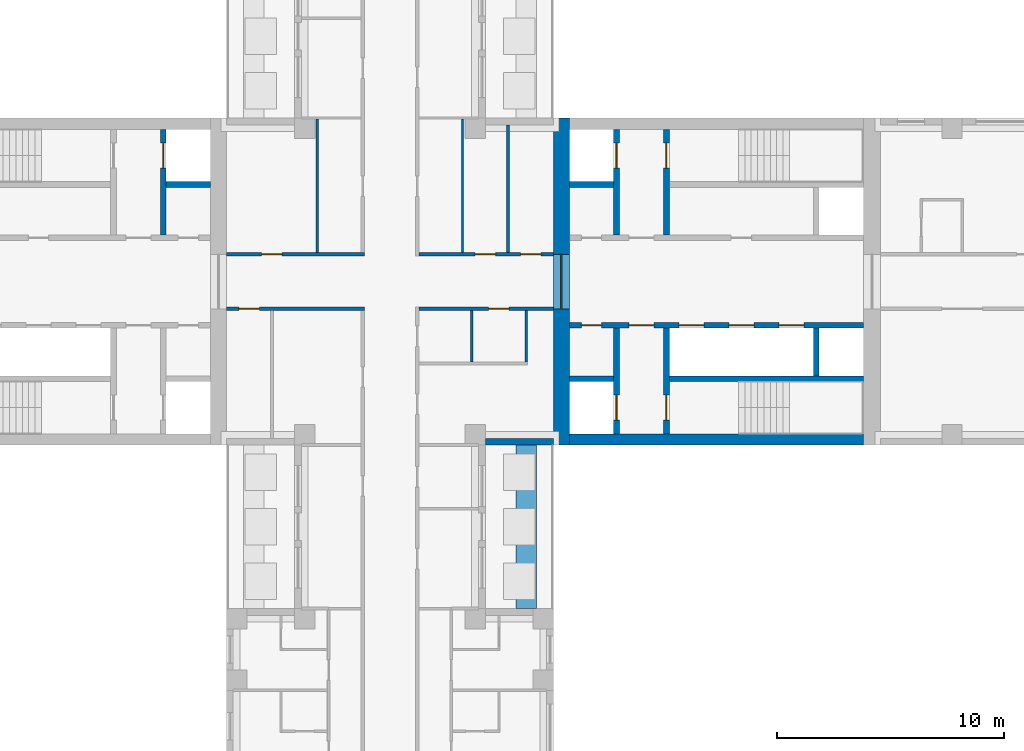
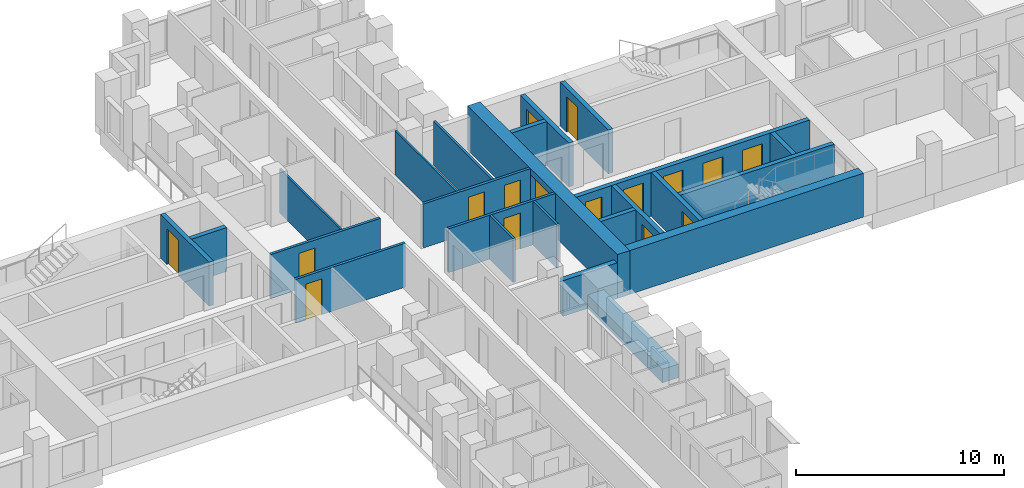
# One storey, part 8 of 14: 24 walls, 16 doors, 16 openings.
"""IFC4 building model written with IfcOpenShell, lengths in metres."""

from ifc_helpers import new_model, si_unit, direction, frame, frame_2d, origin, place, context, subcontext, project, spatial, rectangle, extrude, material, layer, layer_set, type_object, element, fill, save


model = new_model("IFC4")

# Units and contexts
model_context = context("Model", 3, precision=1e-05, world=origin(), true_north=direction((0.0, 1.0)))
body_context = subcontext(model_context, "Body", "Model", "MODEL_VIEW")
ifc_project = project(units=[si_unit("LENGTHUNIT", "METRE"), si_unit("AREAUNIT", "SQUARE_METRE"), si_unit("VOLUMEUNIT", "CUBIC_METRE"), si_unit("PLANEANGLEUNIT", "RADIAN"), si_unit("MASSUNIT", "GRAM", prefix="KILO")], contexts=[model_context])

# Site, building, storey
site_placement = place(None, origin())
site = spatial("IfcSite", under=ifc_project, at=site_placement, CompositionType="ELEMENT")
building_placement = place(site_placement, origin())
building = spatial("IfcBuilding", under=site, at=building_placement, Name="Fustian Cross Tower", CompositionType="ELEMENT")
storey_placement = place(building_placement, frame((0.0, 0.0, 93.89990234375)))
storey = spatial("IfcBuildingStorey", under=building, at=storey_placement, Name="L29", CompositionType="ELEMENT", Elevation=93.89990234375)

# Wall, opening, door
ifc_material_1 = material(Name="Plasterboard on steel stud", Category="steel")
ifc_layer_1 = layer(ifc_material_1, 0.14990234375)
ifc_layer_set_1 = layer_set([ifc_layer_1], Name="Plasterboard on steel stud")
wall_type_1 = type_object("IfcWallType", Name="COMPARTMENT WALL 150 EI 60", PredefinedType="PARTITIONING", material=ifc_layer_set_1)
wall_1_placement = place(storey_placement, frame((-7.199951171875, -1.199951171875, 0.0), z_axis=(0.0, 0.0, 1.0), x_axis=(1.0, 0.0, 0.0)))
wall_1 = element("IfcWall", 1, at=wall_1_placement, inside=storey, type_object=wall_type_1, Name="Partition 13", PredefinedType="PARTITIONING", context=body_context, shape_type="SweptSolid", body=[
    extrude(rectangle(XDim=6.074951171875, YDim=0.14990234375, at=frame_2d((3.03759765625, 0.0))), origin(), (0.0, 0.0, 1.0), 2.5751953125),
])
opening_1_placement = place(wall_1_placement, frame((0.550048828125, 0.0, 0.0)))
opening_1 = element("IfcOpeningElement", 2, at=opening_1_placement, cuts=wall_1, Name="Opening D14010", PredefinedType="OPENING", context=body_context, shape_type="SweptSolid", body=[
    extrude(rectangle(XDim=0.89990234375, YDim=2.10009765625, at=frame_2d((0.449951171875, 1.050048828125))), frame((0.0, 0.0849609375, 0.0), z_axis=(0.0, -1.0, 0.0), x_axis=(1.0, 0.0, 0.0)), (0.0, 0.0, 1.0), 0.169921875),
])
ifc_material_2 = material(Name="Timber fire door set", Category="wood")
door_type_1 = type_object("IfcDoorType", Name="FIRE SWING DOOR 900 FD30S", OperationType="SINGLE_SWING_LEFT", PredefinedType="DOOR", material=ifc_material_2)
door_1_placement = place(opening_1_placement, frame((0.89990234375, 0.0, 0.0), z_axis=(0.0, 0.0, 1.0), x_axis=(-1.0, 0.0, 0.0)))
door_1 = element("IfcDoor", 3, at=door_1_placement, inside=storey, type_object=door_type_1, Name="Door D14010", OperationType="SINGLE_SWING_RIGHT", OverallHeight=2.10009765625, OverallWidth=0.89990234375, PredefinedType="DOOR", context=body_context, shape_type="SweptSolid", body=[
    extrude(rectangle(XDim=0.89990234375, YDim=2.10009765625, at=frame_2d((0.449951171875, 1.050048828125))), frame((0.0, 0.02490234375, 0.0), z_axis=(0.0, -1.0, 0.0), x_axis=(1.0, 0.0, 0.0)), (0.0, 0.0, 1.0), 0.050048828125),
])
fill(opening_1, door_1)

wall_2_placement = place(storey_placement, frame((-7.199951171875, 1.199951171875, 0.0), z_axis=(0.0, 0.0, 1.0), x_axis=(1.0, 0.0, 0.0)))
wall_2 = element("IfcWall", 4, at=wall_2_placement, inside=storey, type_object=wall_type_1, Name="Partition 14", PredefinedType="PARTITIONING", context=body_context, shape_type="SweptSolid", body=[
    extrude(rectangle(XDim=6.074951171875, YDim=0.14990234375, at=frame_2d((3.03759765625, 0.0))), origin(), (0.0, 0.0, 1.0), 2.5751953125),
])
opening_2_placement = place(wall_2_placement, frame((1.550048828125, 0.0, 0.0)))
opening_2 = element("IfcOpeningElement", 5, at=opening_2_placement, cuts=wall_2, Name="Opening D14005", PredefinedType="OPENING", context=body_context, shape_type="SweptSolid", body=[
    extrude(rectangle(XDim=0.89990234375, YDim=2.10009765625, at=frame_2d((0.449951171875, 1.050048828125))), frame((0.0, 0.0849609375, 0.0), z_axis=(0.0, -1.0, 0.0), x_axis=(1.0, 0.0, 0.0)), (0.0, 0.0, 1.0), 0.169921875),
])
door_2_placement = place(opening_2_placement, origin())
door_2 = element("IfcDoor", 6, at=door_2_placement, inside=storey, type_object=door_type_1, Name="Door D14005", OperationType="SINGLE_SWING_LEFT", OverallHeight=2.10009765625, OverallWidth=0.89990234375, PredefinedType="DOOR", context=body_context, shape_type="SweptSolid", body=[
    extrude(rectangle(XDim=0.89990234375, YDim=2.10009765625, at=frame_2d((0.449951171875, 1.050048828125))), frame((0.0, 0.02490234375, 0.0), z_axis=(0.0, -1.0, 0.0), x_axis=(1.0, 0.0, 0.0)), (0.0, 0.0, 1.0), 0.050048828125),
])
fill(opening_2, door_2)

wall_3_placement = place(storey_placement, frame((1.27490234375, -1.199951171875, 0.0), z_axis=(0.0, 0.0, 1.0), x_axis=(1.0, 0.0, 0.0)))
wall_3 = element("IfcWall", 7, at=wall_3_placement, inside=storey, type_object=wall_type_1, Name="Partition 49", PredefinedType="PARTITIONING", context=body_context, shape_type="SweptSolid", body=[
    extrude(rectangle(XDim=5.925048828125, YDim=0.14990234375, at=frame_2d((2.96240234375, 0.0))), origin(), (0.0, 0.0, 1.0), 2.5751953125),
])
opening_3_placement = place(wall_3_placement, frame((3.074951171875, 0.0, 0.0)))
opening_3 = element("IfcOpeningElement", 8, at=opening_3_placement, cuts=wall_3, Name="Opening D14007", PredefinedType="OPENING", context=body_context, shape_type="SweptSolid", body=[
    extrude(rectangle(XDim=0.89990234375, YDim=2.10009765625, at=frame_2d((0.449951171875, 1.050048828125))), frame((0.0, 0.0849609375, 0.0), z_axis=(0.0, -1.0, 0.0), x_axis=(1.0, 0.0, 0.0)), (0.0, 0.0, 1.0), 0.169921875),
])
door_3_placement = place(opening_3_placement, frame((0.89990234375, 0.0, 0.0), z_axis=(0.0, 0.0, 1.0), x_axis=(-1.0, 0.0, 0.0)))
door_3 = element("IfcDoor", 9, at=door_3_placement, inside=storey, type_object=door_type_1, Name="Door D14007", OperationType="SINGLE_SWING_RIGHT", OverallHeight=2.10009765625, OverallWidth=0.89990234375, PredefinedType="DOOR", context=body_context, shape_type="SweptSolid", body=[
    extrude(rectangle(XDim=0.89990234375, YDim=2.10009765625, at=frame_2d((0.449951171875, 1.050048828125))), frame((0.0, 0.02490234375, 0.0), z_axis=(0.0, -1.0, 0.0), x_axis=(1.0, 0.0, 0.0)), (0.0, 0.0, 1.0), 0.050048828125),
])
fill(opening_3, door_3)

# Wall, openings, doors
wall_4_placement = place(storey_placement, frame((1.27490234375, 1.199951171875, 0.0), z_axis=(0.0, 0.0, 1.0), x_axis=(1.0, 0.0, 0.0)))
wall_4 = element("IfcWall", 10, at=wall_4_placement, inside=storey, type_object=wall_type_1, Name="Partition 51", PredefinedType="PARTITIONING", context=body_context, shape_type="SweptSolid", body=[
    extrude(rectangle(XDim=5.925048828125, YDim=0.14990234375, at=frame_2d((2.96240234375, 0.0))), origin(), (0.0, 0.0, 1.0), 2.5751953125),
])
opening_4_placement = place(wall_4_placement, frame((2.47509765625, 0.0, 0.0)))
opening_4 = element("IfcOpeningElement", 11, at=opening_4_placement, cuts=wall_4, Name="Opening D14002", PredefinedType="OPENING", context=body_context, shape_type="SweptSolid", body=[
    extrude(rectangle(XDim=0.89990234375, YDim=2.10009765625, at=frame_2d((0.449951171875, 1.050048828125))), frame((0.0, 0.0849609375, 0.0), z_axis=(0.0, -1.0, 0.0), x_axis=(1.0, 0.0, 0.0)), (0.0, 0.0, 1.0), 0.169921875),
])
opening_5_placement = place(wall_4_placement, frame((4.47509765625, 0.0, 0.0)))
opening_5 = element("IfcOpeningElement", 12, at=opening_5_placement, cuts=wall_4, Name="Opening D14003", PredefinedType="OPENING", context=body_context, shape_type="SweptSolid", body=[
    extrude(rectangle(XDim=0.89990234375, YDim=2.10009765625, at=frame_2d((0.449951171875, 1.050048828125))), frame((0.0, 0.0849609375, 0.0), z_axis=(0.0, -1.0, 0.0), x_axis=(1.0, 0.0, 0.0)), (0.0, 0.0, 1.0), 0.169921875),
])
door_4_placement = place(opening_4_placement, origin())
door_4 = element("IfcDoor", 13, at=door_4_placement, inside=storey, type_object=door_type_1, Name="Door D14002", OperationType="SINGLE_SWING_LEFT", OverallHeight=2.10009765625, OverallWidth=0.89990234375, PredefinedType="DOOR", context=body_context, shape_type="SweptSolid", body=[
    extrude(rectangle(XDim=0.89990234375, YDim=2.10009765625, at=frame_2d((0.449951171875, 1.050048828125))), frame((0.0, 0.02490234375, 0.0), z_axis=(0.0, -1.0, 0.0), x_axis=(1.0, 0.0, 0.0)), (0.0, 0.0, 1.0), 0.050048828125),
])
fill(opening_4, door_4)
door_5_placement = place(opening_5_placement, origin())
door_5 = element("IfcDoor", 14, at=door_5_placement, inside=storey, type_object=door_type_1, Name="Door D14003", OperationType="SINGLE_SWING_LEFT", OverallHeight=2.10009765625, OverallWidth=0.89990234375, PredefinedType="DOOR", context=body_context, shape_type="SweptSolid", body=[
    extrude(rectangle(XDim=0.89990234375, YDim=2.10009765625, at=frame_2d((0.449951171875, 1.050048828125))), frame((0.0, 0.02490234375, 0.0), z_axis=(0.0, -1.0, 0.0), x_axis=(1.0, 0.0, 0.0)), (0.0, 0.0, 1.0), 0.050048828125),
])
fill(opening_5, door_5)

# Wall, opening, door
ifc_material_3 = material(Name="Concrete C70/85", Category="concrete")
ifc_layer_2 = layer(ifc_material_3, 0.699951171875)
ifc_layer_set_2 = layer_set([ifc_layer_2], Name="Concrete C70/85")
wall_type_2 = type_object("IfcWallType", Name="CORE END WALL 700 C70/85", PredefinedType="SHEAR", material=ifc_layer_set_2)
wall_5_placement = place(storey_placement, frame((7.550048828125, -7.199951171875, 0.0), z_axis=(0.0, 0.0, 1.0), x_axis=(0.0, 1.0, 0.0)))
wall_5 = element("IfcWall", 15, at=wall_5_placement, inside=storey, type_object=wall_type_2, Name="Core end wall", PredefinedType="SHEAR", context=body_context, shape_type="SweptSolid", body=[
    extrude(rectangle(XDim=14.39990234375, YDim=0.699951171875, at=frame_2d((7.199951171875, 0.0))), origin(), (0.0, 0.0, 1.0), 2.5751953125),
])
opening_6_placement = place(wall_5_placement, frame((6.0, 0.0, 0.0)))
opening_6 = element("IfcOpeningElement", 16, at=opening_6_placement, cuts=wall_5, Name="Opening CD-09-12", PredefinedType="OPENING", context=body_context, shape_type="SweptSolid", body=[
    extrude(rectangle(XDim=2.39990234375, YDim=2.199951171875, at=frame_2d((1.199951171875, 1.10009765625))), frame((0.0, 0.35986328125, 0.0), z_axis=(0.0, -1.0, 0.0), x_axis=(1.0, 0.0, 0.0)), (0.0, 0.0, 1.0), 0.719970703125),
])
ifc_material_4 = material(Name="Steel", Category="steel")
door_type_2 = type_object("IfcDoorType", Name="FIRE DOOR FD30S DOUBLE 2400X2200", OperationType="DOUBLE_DOOR_DOUBLE_SWING", PredefinedType="DOOR", material=ifc_material_4)
door_6_placement = place(opening_6_placement, frame((2.39990234375, 0.0, 0.0), z_axis=(0.0, 0.0, 1.0), x_axis=(-1.0, 0.0, 0.0)))
door_6 = element("IfcDoor", 17, at=door_6_placement, inside=storey, type_object=door_type_2, Name="Core door CD-09-12", OperationType="DOUBLE_DOOR_DOUBLE_SWING", OverallHeight=2.199951171875, OverallWidth=2.39990234375, PredefinedType="DOOR", context=body_context, shape_type="SweptSolid", body=[
    extrude(rectangle(XDim=2.39990234375, YDim=2.199951171875, at=frame_2d((1.199951171875, 1.10009765625))), frame((0.0, 0.02490234375, 0.0), z_axis=(0.0, -1.0, 0.0), x_axis=(1.0, 0.0, 0.0)), (0.0, 0.0, 1.0), 0.050048828125),
])
fill(opening_6, door_6)

# Wall
ifc_material_5 = material(Name="Concrete C70/85", Category="concrete")
ifc_layer_3 = layer(ifc_material_5, 0.5)
ifc_layer_set_3 = layer_set([ifc_layer_3], Name="Concrete C70/85")
wall_type_3 = type_object("IfcWallType", Name="CORE FACADE WALL 500 C70/85", PredefinedType="SHEAR", material=ifc_layer_set_3)
wall_6_placement = place(storey_placement, frame((7.89990234375, -6.949951171875, 0.0), z_axis=(0.0, 0.0, 1.0), x_axis=(1.0, 0.0, 0.0)))
element("IfcWall", 18, at=wall_6_placement, inside=storey, type_object=wall_type_3, Name="Core facade wall", PredefinedType="SHEAR", context=body_context, shape_type="SweptSolid", body=[
    extrude(rectangle(XDim=12.9501953125, YDim=0.5, at=frame_2d((6.47509765625, 0.0))), origin(), (0.0, 0.0, 1.0), 2.5751953125),
])

# Wall, openings, doors
ifc_material_6 = material(Name="Concrete C50/60", Category="concrete")
ifc_layer_4 = layer(ifc_material_6, 0.25)
ifc_layer_set_4 = layer_set([ifc_layer_4], Name="Concrete C50/60")
wall_type_4 = type_object("IfcWallType", Name="CORE LOBBY WALL 250 C50/60", PredefinedType="SHEAR", material=ifc_layer_set_4)
wall_7_placement = place(storey_placement, frame((7.89990234375, -1.925048828125, 0.0), z_axis=(0.0, 0.0, 1.0), x_axis=(1.0, 0.0, 0.0)))
wall_7 = element("IfcWall", 19, at=wall_7_placement, inside=storey, type_object=wall_type_4, Name="Core lobby wall", PredefinedType="SHEAR", context=body_context, shape_type="SweptSolid", body=[
    extrude(rectangle(XDim=12.9501953125, YDim=0.25, at=frame_2d((6.47509765625, 0.0))), origin(), (0.0, 0.0, 1.0), 2.5751953125),
])
opening_7_placement = place(wall_7_placement, frame((4.824951171875, 0.0, 0.0)))
opening_7 = element("IfcOpeningElement", 20, at=opening_7_placement, cuts=wall_7, Name="Opening LD", PredefinedType="OPENING", context=body_context, shape_type="SweptSolid", body=[
    extrude(rectangle(XDim=1.10009765625, YDim=2.10009765625, at=frame_2d((0.550048828125, 1.050048828125))), frame((0.0, 0.135009765625, 0.0), z_axis=(0.0, -1.0, 0.0), x_axis=(1.0, 0.0, 0.0)), (0.0, 0.0, 1.0), 0.27001953125),
])
opening_8_placement = place(wall_7_placement, frame((7.02490234375, 0.0, 0.0)))
opening_8 = element("IfcOpeningElement", 21, at=opening_8_placement, cuts=wall_7, Name="Opening LD", PredefinedType="OPENING", context=body_context, shape_type="SweptSolid", body=[
    extrude(rectangle(XDim=1.10009765625, YDim=2.10009765625, at=frame_2d((0.550048828125, 1.050048828125))), frame((0.0, 0.135009765625, 0.0), z_axis=(0.0, -1.0, 0.0), x_axis=(1.0, 0.0, 0.0)), (0.0, 0.0, 1.0), 0.27001953125),
])
opening_9_placement = place(wall_7_placement, frame((9.22509765625, 0.0, 0.0)))
opening_9 = element("IfcOpeningElement", 22, at=opening_9_placement, cuts=wall_7, Name="Opening LD", PredefinedType="OPENING", context=body_context, shape_type="SweptSolid", body=[
    extrude(rectangle(XDim=1.10009765625, YDim=2.10009765625, at=frame_2d((0.550048828125, 1.050048828125))), frame((0.0, 0.135009765625, 0.0), z_axis=(0.0, -1.0, 0.0), x_axis=(1.0, 0.0, 0.0)), (0.0, 0.0, 1.0), 0.27001953125),
])
opening_10_placement = place(wall_7_placement, frame((0.52490234375, 0.0, 0.0)))
opening_10 = element("IfcOpeningElement", 23, at=opening_10_placement, cuts=wall_7, Name="Opening CD-09-09", PredefinedType="OPENING", context=body_context, shape_type="SweptSolid", body=[
    extrude(rectangle(XDim=0.89990234375, YDim=2.10009765625, at=frame_2d((0.449951171875, 1.050048828125))), frame((0.0, 0.135009765625, 0.0), z_axis=(0.0, -1.0, 0.0), x_axis=(1.0, 0.0, 0.0)), (0.0, 0.0, 1.0), 0.27001953125),
])
opening_11_placement = place(wall_7_placement, frame((2.625, 0.0, 0.0)))
opening_11 = element("IfcOpeningElement", 24, at=opening_11_placement, cuts=wall_7, Name="Opening CD-09-11", PredefinedType="OPENING", context=body_context, shape_type="SweptSolid", body=[
    extrude(rectangle(XDim=1.10009765625, YDim=2.10009765625, at=frame_2d((0.550048828125, 1.050048828125))), frame((0.0, 0.135009765625, 0.0), z_axis=(0.0, -1.0, 0.0), x_axis=(1.0, 0.0, 0.0)), (0.0, 0.0, 1.0), 0.27001953125),
])
ifc_material_7 = material(Name="Steel", Category="steel")
door_type_3 = type_object("IfcDoorType", Name="FIRE DOOR FD30S 1100X2100", OperationType="SINGLE_SWING_LEFT", PredefinedType="DOOR", material=ifc_material_7)
door_7_placement = place(opening_11_placement, frame((1.10009765625, 0.0, 0.0), z_axis=(0.0, 0.0, 1.0), x_axis=(-1.0, 0.0, 0.0)))
door_7 = element("IfcDoor", 25, at=door_7_placement, inside=storey, type_object=door_type_3, Name="Core door CD-09-11", OperationType="SINGLE_SWING_RIGHT", OverallHeight=2.10009765625, OverallWidth=1.10009765625, PredefinedType="DOOR", context=body_context, shape_type="SweptSolid", body=[
    extrude(rectangle(XDim=1.10009765625, YDim=2.10009765625, at=frame_2d((0.550048828125, 1.050048828125))), frame((0.0, 0.02490234375, 0.0), z_axis=(0.0, -1.0, 0.0), x_axis=(1.0, 0.0, 0.0)), (0.0, 0.0, 1.0), 0.050048828125),
])
fill(opening_11, door_7)
ifc_material_8 = material(Name="Steel", Category="steel")
door_type_4 = type_object("IfcDoorType", Name="FIRE DOOR FD30S 900X2100", OperationType="SINGLE_SWING_LEFT", PredefinedType="DOOR", material=ifc_material_8)
door_8_placement = place(opening_10_placement, frame((0.89990234375, 0.0, 0.0), z_axis=(0.0, 0.0, 1.0), x_axis=(-1.0, 0.0, 0.0)))
door_8 = element("IfcDoor", 26, at=door_8_placement, inside=storey, type_object=door_type_4, Name="Core door CD-09-09", OperationType="SINGLE_SWING_RIGHT", OverallHeight=2.10009765625, OverallWidth=0.89990234375, PredefinedType="DOOR", context=body_context, shape_type="SweptSolid", body=[
    extrude(rectangle(XDim=0.89990234375, YDim=2.10009765625, at=frame_2d((0.449951171875, 1.050048828125))), frame((0.0, 0.02490234375, 0.0), z_axis=(0.0, -1.0, 0.0), x_axis=(1.0, 0.0, 0.0)), (0.0, 0.0, 1.0), 0.050048828125),
])
fill(opening_10, door_8)
ifc_material_9 = material(Name="Stainless steel", Category="steel")
door_type_5 = type_object("IfcDoorType", Name="LIFT LANDING DOOR 1100X2100", OperationType="SLIDING_TO_LEFT", PredefinedType="DOOR", material=ifc_material_9)
door_9_placement = place(opening_7_placement, origin())
door_9 = element("IfcDoor", 27, at=door_9_placement, inside=storey, type_object=door_type_5, Name="Landing door LR1", OperationType="SLIDING_TO_LEFT", OverallHeight=2.10009765625, OverallWidth=1.10009765625, PredefinedType="DOOR", context=body_context, shape_type="SweptSolid", body=[
    extrude(rectangle(XDim=1.10009765625, YDim=2.10009765625, at=frame_2d((0.550048828125, 1.050048828125))), frame((0.0, 0.02490234375, 0.0), z_axis=(0.0, -1.0, 0.0), x_axis=(1.0, 0.0, 0.0)), (0.0, 0.0, 1.0), 0.050048828125),
])
fill(opening_7, door_9)
door_10_placement = place(opening_8_placement, origin())
door_10 = element("IfcDoor", 28, at=door_10_placement, inside=storey, type_object=door_type_5, Name="Landing door LR2", OperationType="SLIDING_TO_LEFT", OverallHeight=2.10009765625, OverallWidth=1.10009765625, PredefinedType="DOOR", context=body_context, shape_type="SweptSolid", body=[
    extrude(rectangle(XDim=1.10009765625, YDim=2.10009765625, at=frame_2d((0.550048828125, 1.050048828125))), frame((0.0, 0.02490234375, 0.0), z_axis=(0.0, -1.0, 0.0), x_axis=(1.0, 0.0, 0.0)), (0.0, 0.0, 1.0), 0.050048828125),
])
fill(opening_8, door_10)
door_11_placement = place(opening_9_placement, origin())
door_11 = element("IfcDoor", 29, at=door_11_placement, inside=storey, type_object=door_type_5, Name="Landing door LR3", OperationType="SLIDING_TO_LEFT", OverallHeight=2.10009765625, OverallWidth=1.10009765625, PredefinedType="DOOR", context=body_context, shape_type="SweptSolid", body=[
    extrude(rectangle(XDim=1.10009765625, YDim=2.10009765625, at=frame_2d((0.550048828125, 1.050048828125))), frame((0.0, 0.02490234375, 0.0), z_axis=(0.0, -1.0, 0.0), x_axis=(1.0, 0.0, 0.0)), (0.0, 0.0, 1.0), 0.050048828125),
])
fill(opening_9, door_11)

# Wall
ifc_material_10 = material(Name="Concrete C50/60", Category="concrete")
ifc_layer_5 = layer(ifc_material_10, 0.25)
ifc_layer_set_5 = layer_set([ifc_layer_5], Name="Concrete C50/60")
wall_type_5 = type_object("IfcWallType", Name="CORE SHAFT WALL 250 C50/60", PredefinedType="SHEAR", material=ifc_layer_set_5)
wall_8_placement = place(storey_placement, frame((7.89990234375, 4.27490234375, 0.0), z_axis=(0.0, 0.0, 1.0), x_axis=(1.0, 0.0, 0.0)))
element("IfcWall", 30, at=wall_8_placement, inside=storey, type_object=wall_type_5, Name="Core shaft wall", PredefinedType="SHEAR", context=body_context, shape_type="SweptSolid", body=[
    extrude(rectangle(XDim=1.9501953125, YDim=0.25, at=frame_2d((0.97509765625, 0.0))), origin(), (0.0, 0.0, 1.0), 2.5751953125),
])

# Wall, opening, door
wall_9_placement = place(storey_placement, frame((9.97509765625, 2.050048828125, 0.0), z_axis=(0.0, 0.0, 1.0), x_axis=(0.0, 1.0, 0.0)))
wall_9 = element("IfcWall", 31, at=wall_9_placement, inside=storey, type_object=wall_type_5, Name="Core shaft wall", PredefinedType="SHEAR", context=body_context, shape_type="SweptSolid", body=[
    extrude(rectangle(XDim=4.64990234375, YDim=0.25, at=frame_2d((2.324951171875, 0.0))), origin(), (0.0, 0.0, 1.0), 2.5751953125),
])
opening_12_placement = place(wall_9_placement, frame((2.949951171875, 0.0, 0.0)))
opening_12 = element("IfcOpeningElement", 32, at=opening_12_placement, cuts=wall_9, Name="Opening LD", PredefinedType="OPENING", context=body_context, shape_type="SweptSolid", body=[
    extrude(rectangle(XDim=1.10009765625, YDim=2.10009765625, at=frame_2d((0.550048828125, 1.050048828125))), frame((0.0, 0.135009765625, 0.0), z_axis=(0.0, -1.0, 0.0), x_axis=(1.0, 0.0, 0.0)), (0.0, 0.0, 1.0), 0.27001953125),
])
door_12_placement = place(opening_12_placement, origin())
door_12 = element("IfcDoor", 33, at=door_12_placement, inside=storey, type_object=door_type_5, Name="Landing door FL1", OperationType="SLIDING_TO_LEFT", OverallHeight=2.10009765625, OverallWidth=1.10009765625, PredefinedType="DOOR", context=body_context, shape_type="SweptSolid", body=[
    extrude(rectangle(XDim=1.10009765625, YDim=2.10009765625, at=frame_2d((0.550048828125, 1.050048828125))), frame((0.0, 0.02490234375, 0.0), z_axis=(0.0, -1.0, 0.0), x_axis=(1.0, 0.0, 0.0)), (0.0, 0.0, 1.0), 0.050048828125),
])
fill(opening_12, door_12)

wall_10_placement = place(storey_placement, frame((12.175048828125, 2.050048828125, 0.0), z_axis=(0.0, 0.0, 1.0), x_axis=(0.0, 1.0, 0.0)))
wall_10 = element("IfcWall", 34, at=wall_10_placement, inside=storey, type_object=wall_type_5, Name="Core shaft wall", PredefinedType="SHEAR", context=body_context, shape_type="SweptSolid", body=[
    extrude(rectangle(XDim=4.64990234375, YDim=0.25, at=frame_2d((2.324951171875, 0.0))), origin(), (0.0, 0.0, 1.0), 2.5751953125),
])
opening_13_placement = place(wall_10_placement, frame((2.949951171875, 0.0, 0.0)))
opening_13 = element("IfcOpeningElement", 35, at=opening_13_placement, cuts=wall_10, Name="Opening CD-09-06", PredefinedType="OPENING", context=body_context, shape_type="SweptSolid", body=[
    extrude(rectangle(XDim=1.10009765625, YDim=2.10009765625, at=frame_2d((0.550048828125, 1.050048828125))), frame((0.0, 0.135009765625, 0.0), z_axis=(0.0, -1.0, 0.0), x_axis=(1.0, 0.0, 0.0)), (0.0, 0.0, 1.0), 0.27001953125),
])
ifc_material_11 = material(Name="Steel", Category="steel")
door_type_6 = type_object("IfcDoorType", Name="FIRE DOOR FD60S 1100X2100", OperationType="SINGLE_SWING_LEFT", PredefinedType="DOOR", material=ifc_material_11)
door_13_placement = place(opening_13_placement, frame((1.10009765625, 0.0, 0.0), z_axis=(0.0, 0.0, 1.0), x_axis=(-1.0, 0.0, 0.0)))
door_13 = element("IfcDoor", 36, at=door_13_placement, inside=storey, type_object=door_type_6, Name="Core door CD-09-06", OperationType="SINGLE_SWING_RIGHT", OverallHeight=2.10009765625, OverallWidth=1.10009765625, PredefinedType="DOOR", context=body_context, shape_type="SweptSolid", body=[
    extrude(rectangle(XDim=1.10009765625, YDim=2.10009765625, at=frame_2d((0.550048828125, 1.050048828125))), frame((0.0, 0.02490234375, 0.0), z_axis=(0.0, -1.0, 0.0), x_axis=(1.0, 0.0, 0.0)), (0.0, 0.0, 1.0), 0.050048828125),
])
fill(opening_13, door_13)

# Walls
wall_11_placement = place(storey_placement, frame((7.89990234375, -4.27490234375, 0.0), z_axis=(0.0, 0.0, 1.0), x_axis=(1.0, 0.0, 0.0)))
element("IfcWall", 37, at=wall_11_placement, inside=storey, type_object=wall_type_5, Name="Core shaft wall", PredefinedType="SHEAR", context=body_context, shape_type="SweptSolid", body=[
    extrude(rectangle(XDim=1.9501953125, YDim=0.25, at=frame_2d((0.97509765625, 0.0))), origin(), (0.0, 0.0, 1.0), 2.5751953125),
])
wall_12_placement = place(storey_placement, frame((12.300048828125, -4.27490234375, 0.0), z_axis=(0.0, 0.0, 1.0), x_axis=(1.0, 0.0, 0.0)))
element("IfcWall", 38, at=wall_12_placement, inside=storey, type_object=wall_type_5, Name="Core shaft wall", PredefinedType="SHEAR", context=body_context, shape_type="SweptSolid", body=[
    extrude(rectangle(XDim=8.550048828125, YDim=0.25, at=frame_2d((4.27490234375, 0.0))), origin(), (0.0, 0.0, 1.0), 2.5751953125),
])

# Wall, opening, door
wall_13_placement = place(storey_placement, frame((9.97509765625, -2.050048828125, 0.0), z_axis=(0.0, 0.0, 1.0), x_axis=(0.0, -1.0, 0.0)))
wall_13 = element("IfcWall", 39, at=wall_13_placement, inside=storey, type_object=wall_type_5, Name="Core shaft wall", PredefinedType="SHEAR", context=body_context, shape_type="SweptSolid", body=[
    extrude(rectangle(XDim=4.64990234375, YDim=0.25, at=frame_2d((2.324951171875, 0.0))), origin(), (0.0, 0.0, 1.0), 2.5751953125),
])
opening_14_placement = place(wall_13_placement, frame((2.949951171875, 0.0, 0.0)))
opening_14 = element("IfcOpeningElement", 40, at=opening_14_placement, cuts=wall_13, Name="Opening LD", PredefinedType="OPENING", context=body_context, shape_type="SweptSolid", body=[
    extrude(rectangle(XDim=1.10009765625, YDim=2.10009765625, at=frame_2d((0.550048828125, 1.050048828125))), frame((0.0, 0.135009765625, 0.0), z_axis=(0.0, -1.0, 0.0), x_axis=(1.0, 0.0, 0.0)), (0.0, 0.0, 1.0), 0.27001953125),
])
door_14_placement = place(opening_14_placement, origin())
door_14 = element("IfcDoor", 41, at=door_14_placement, inside=storey, type_object=door_type_5, Name="Landing door SV1", OperationType="SLIDING_TO_LEFT", OverallHeight=2.10009765625, OverallWidth=1.10009765625, PredefinedType="DOOR", context=body_context, shape_type="SweptSolid", body=[
    extrude(rectangle(XDim=1.10009765625, YDim=2.10009765625, at=frame_2d((0.550048828125, 1.050048828125))), frame((0.0, 0.02490234375, 0.0), z_axis=(0.0, -1.0, 0.0), x_axis=(1.0, 0.0, 0.0)), (0.0, 0.0, 1.0), 0.050048828125),
])
fill(opening_14, door_14)

wall_14_placement = place(storey_placement, frame((12.175048828125, -2.050048828125, 0.0), z_axis=(0.0, 0.0, 1.0), x_axis=(0.0, -1.0, 0.0)))
wall_14 = element("IfcWall", 42, at=wall_14_placement, inside=storey, type_object=wall_type_5, Name="Core shaft wall", PredefinedType="SHEAR", context=body_context, shape_type="SweptSolid", body=[
    extrude(rectangle(XDim=4.64990234375, YDim=0.25, at=frame_2d((2.324951171875, 0.0))), origin(), (0.0, 0.0, 1.0), 2.5751953125),
])
opening_15_placement = place(wall_14_placement, frame((2.949951171875, 0.0, 0.0)))
opening_15 = element("IfcOpeningElement", 43, at=opening_15_placement, cuts=wall_14, Name="Opening CD-09-07", PredefinedType="OPENING", context=body_context, shape_type="SweptSolid", body=[
    extrude(rectangle(XDim=1.10009765625, YDim=2.10009765625, at=frame_2d((0.550048828125, 1.050048828125))), frame((0.0, 0.135009765625, 0.0), z_axis=(0.0, -1.0, 0.0), x_axis=(1.0, 0.0, 0.0)), (0.0, 0.0, 1.0), 0.27001953125),
])
door_15_placement = place(opening_15_placement, origin())
door_15 = element("IfcDoor", 44, at=door_15_placement, inside=storey, type_object=door_type_6, Name="Core door CD-09-07", OperationType="SINGLE_SWING_LEFT", OverallHeight=2.10009765625, OverallWidth=1.10009765625, PredefinedType="DOOR", context=body_context, shape_type="SweptSolid", body=[
    extrude(rectangle(XDim=1.10009765625, YDim=2.10009765625, at=frame_2d((0.550048828125, 1.050048828125))), frame((0.0, 0.02490234375, 0.0), z_axis=(0.0, -1.0, 0.0), x_axis=(1.0, 0.0, 0.0)), (0.0, 0.0, 1.0), 0.050048828125),
])
fill(opening_15, door_15)

# Wall
wall_15_placement = place(storey_placement, frame((-7.89990234375, 4.27490234375, 0.0), z_axis=(0.0, 0.0, 1.0), x_axis=(-1.0, 0.0, 0.0)))
element("IfcWall", 45, at=wall_15_placement, inside=storey, type_object=wall_type_5, Name="Core shaft wall", PredefinedType="SHEAR", context=body_context, shape_type="SweptSolid", body=[
    extrude(rectangle(XDim=1.9501953125, YDim=0.25, at=frame_2d((0.97509765625, 0.0))), origin(), (0.0, 0.0, 1.0), 2.5751953125),
])

# Wall, opening, door
wall_16_placement = place(storey_placement, frame((-9.97509765625, 2.050048828125, 0.0), z_axis=(0.0, 0.0, 1.0), x_axis=(0.0, 1.0, 0.0)))
wall_16 = element("IfcWall", 46, at=wall_16_placement, inside=storey, type_object=wall_type_5, Name="Core shaft wall", PredefinedType="SHEAR", context=body_context, shape_type="SweptSolid", body=[
    extrude(rectangle(XDim=4.64990234375, YDim=0.25, at=frame_2d((2.324951171875, 0.0))), origin(), (0.0, 0.0, 1.0), 2.5751953125),
])
opening_16_placement = place(wall_16_placement, frame((2.949951171875, 0.0, 0.0)))
opening_16 = element("IfcOpeningElement", 47, at=opening_16_placement, cuts=wall_16, Name="Opening LD", PredefinedType="OPENING", context=body_context, shape_type="SweptSolid", body=[
    extrude(rectangle(XDim=1.10009765625, YDim=2.10009765625, at=frame_2d((0.550048828125, 1.050048828125))), frame((0.0, 0.135009765625, 0.0), z_axis=(0.0, -1.0, 0.0), x_axis=(1.0, 0.0, 0.0)), (0.0, 0.0, 1.0), 0.27001953125),
])
door_16_placement = place(opening_16_placement, origin())
door_16 = element("IfcDoor", 48, at=door_16_placement, inside=storey, type_object=door_type_5, Name="Landing door FL1W", OperationType="SLIDING_TO_LEFT", OverallHeight=2.10009765625, OverallWidth=1.10009765625, PredefinedType="DOOR", context=body_context, shape_type="SweptSolid", body=[
    extrude(rectangle(XDim=1.10009765625, YDim=2.10009765625, at=frame_2d((0.550048828125, 1.050048828125))), frame((0.0, 0.02490234375, 0.0), z_axis=(0.0, -1.0, 0.0), x_axis=(1.0, 0.0, 0.0)), (0.0, 0.0, 1.0), 0.050048828125),
])
fill(opening_16, door_16)

# Walls
ifc_material_12 = material(Name="Plasterboard on steel stud", Category="steel")
ifc_layer_6 = layer(ifc_material_12, 0.10009765625)
ifc_layer_set_6 = layer_set([ifc_layer_6], Name="Plasterboard on steel stud")
wall_type_6 = type_object("IfcWallType", Name="PARTITION 100 STUD", PredefinedType="PARTITIONING", material=ifc_layer_set_6)
for number, where, z_axis, x_axis, name in (
    (49, (-3.199951171875, 1.27490234375, 0.0), (0.0, 0.0, 1.0), (0.0, 1.0, 0.0), "Partition 38"),
    (50, (3.199951171875, 1.27490234375, 0.0), (0.0, 0.0, 1.0), (0.0, 1.0, 0.0), "Partition 67"),
):
    element("IfcWall", number, at=place(storey_placement, frame(where, z_axis=z_axis, x_axis=x_axis)), inside=storey, type_object=wall_type_6, Name=name, PredefinedType="PARTITIONING", context=body_context, shape_type="SweptSolid", body=[
        extrude(rectangle(XDim=5.875, YDim=0.10009765625, at=frame_2d((2.9375, 0.0))), origin(), (0.0, 0.0, 1.0), 2.5751953125),
    ])
ifc_material_13 = material(Name="Concrete C40/50", Category="concrete")
ifc_layer_7 = layer(ifc_material_13, 0.89990234375)
ifc_layer_set_7 = layer_set([ifc_layer_7], Name="Concrete C40/50")
wall_type_7 = type_object("IfcWallType", Name="PK1 PLANTER 900", PredefinedType="PARAPET", material=ifc_layer_set_7)
wall_17_placement = place(storey_placement, frame((6.0, -14.39990234375, 0.0), z_axis=(0.0, 0.0, 1.0), x_axis=(0.0, 1.0, 0.0)))
element("IfcWall", 51, at=wall_17_placement, inside=storey, type_object=wall_type_7, Name="PLANTER", PredefinedType="PARAPET", context=body_context, shape_type="SweptSolid", body=[
    extrude(rectangle(XDim=7.199951171875, YDim=0.89990234375, at=frame_2d((3.60009765625, 0.0))), origin(), (0.0, 0.0, 1.0), 0.800048828125),
])
ifc_material_14 = material(Name="Concrete C40/50", Category="concrete")
ifc_layer_8 = layer(ifc_material_14, 0.25)
ifc_layer_set_8 = layer_set([ifc_layer_8], Name="Concrete C40/50")
wall_type_8 = type_object("IfcWallType", Name="SHAFT PARTITION WALL 250 C40/50", PredefinedType="PARTITIONING", material=ifc_layer_set_8)
wall_18_placement = place(storey_placement, frame((18.77490234375, -2.050048828125, 0.0), z_axis=(0.0, 0.0, 1.0), x_axis=(0.0, -1.0, 0.0)))
element("IfcWall", 52, at=wall_18_placement, inside=storey, type_object=wall_type_8, Name="Core shaft wall", PredefinedType="PARTITIONING", context=body_context, shape_type="SweptSolid", body=[
    extrude(rectangle(XDim=2.099853515625, YDim=0.25, at=frame_2d((1.0498046875, 0.0))), origin(), (0.0, 0.0, 1.0), 2.5751953125),
])
ifc_material_15 = material(Name="Plasterboard on steel stud", Category="steel")
ifc_layer_9 = layer(ifc_material_15, 0.125)
ifc_layer_set_9 = layer_set([ifc_layer_9], Name="Plasterboard on steel stud")
wall_type_9 = type_object("IfcWallType", Name="WET WALL 125 STUD", PredefinedType="PARTITIONING", material=ifc_layer_set_9)
wall_19_placement = place(storey_placement, frame((3.60009765625, -3.53759765625, 0.0), z_axis=(0.0, 0.0, 1.0), x_axis=(0.0, 1.0, 0.0)))
element("IfcWall", 53, at=wall_19_placement, inside=storey, type_object=wall_type_9, Name="Partition 68", PredefinedType="PARTITIONING", context=body_context, shape_type="SweptSolid", body=[
    extrude(rectangle(XDim=2.2626953125, YDim=0.125, at=frame_2d((1.13134765625, 0.0))), origin(), (0.0, 0.0, 1.0), 2.5751953125),
])
wall_20_placement = place(storey_placement, frame((5.199951171875, 1.27490234375, 0.0), z_axis=(0.0, 0.0, 1.0), x_axis=(0.0, 1.0, 0.0)))
element("IfcWall", 54, at=wall_20_placement, inside=storey, type_object=wall_type_9, Name="Partition 76", PredefinedType="PARTITIONING", context=body_context, shape_type="SweptSolid", body=[
    extrude(rectangle(XDim=5.625, YDim=0.125, at=frame_2d((2.8125, 0.0))), origin(), (0.0, 0.0, 1.0), 2.5751953125),
])
wall_21_placement = place(storey_placement, frame((6.0, -3.53759765625, 0.0), z_axis=(0.0, 0.0, 1.0), x_axis=(0.0, 1.0, 0.0)))
element("IfcWall", 55, at=wall_21_placement, inside=storey, type_object=wall_type_9, Name="Partition 77", PredefinedType="PARTITIONING", context=body_context, shape_type="SweptSolid", body=[
    extrude(rectangle(XDim=2.2626953125, YDim=0.125, at=frame_2d((1.13134765625, 0.0))), origin(), (0.0, 0.0, 1.0), 2.5751953125),
])
ifc_material_16 = material(Name="Dark aluminium cladding on insulated backing wall", Category="aluminium")
ifc_layer_10 = layer(ifc_material_16, 0.300048828125)
ifc_layer_set_10 = layer_set([ifc_layer_10], Name="Dark aluminium cladding on insulated backing wall")
wall_type_10 = type_object("IfcWallType", Name="XW1 EXTERNAL WALL 300", PredefinedType="SOLIDWALL", material=ifc_layer_set_10)
wall_22_placement = place(storey_placement, frame((4.199951171875, -7.050048828125, 0.0), z_axis=(0.0, 0.0, 1.0), x_axis=(1.0, 0.0, 0.0)))
element("IfcWall", 56, at=wall_22_placement, inside=storey, type_object=wall_type_10, Name="External wall", PredefinedType="SOLIDWALL", context=body_context, shape_type="SweptSolid", body=[
    extrude(rectangle(XDim=3.0, YDim=0.300048828125, at=frame_2d((1.5, 0.0))), origin(), (0.0, 0.0, 1.0), 2.10009765625),
])

save(model, "model.ifc")
